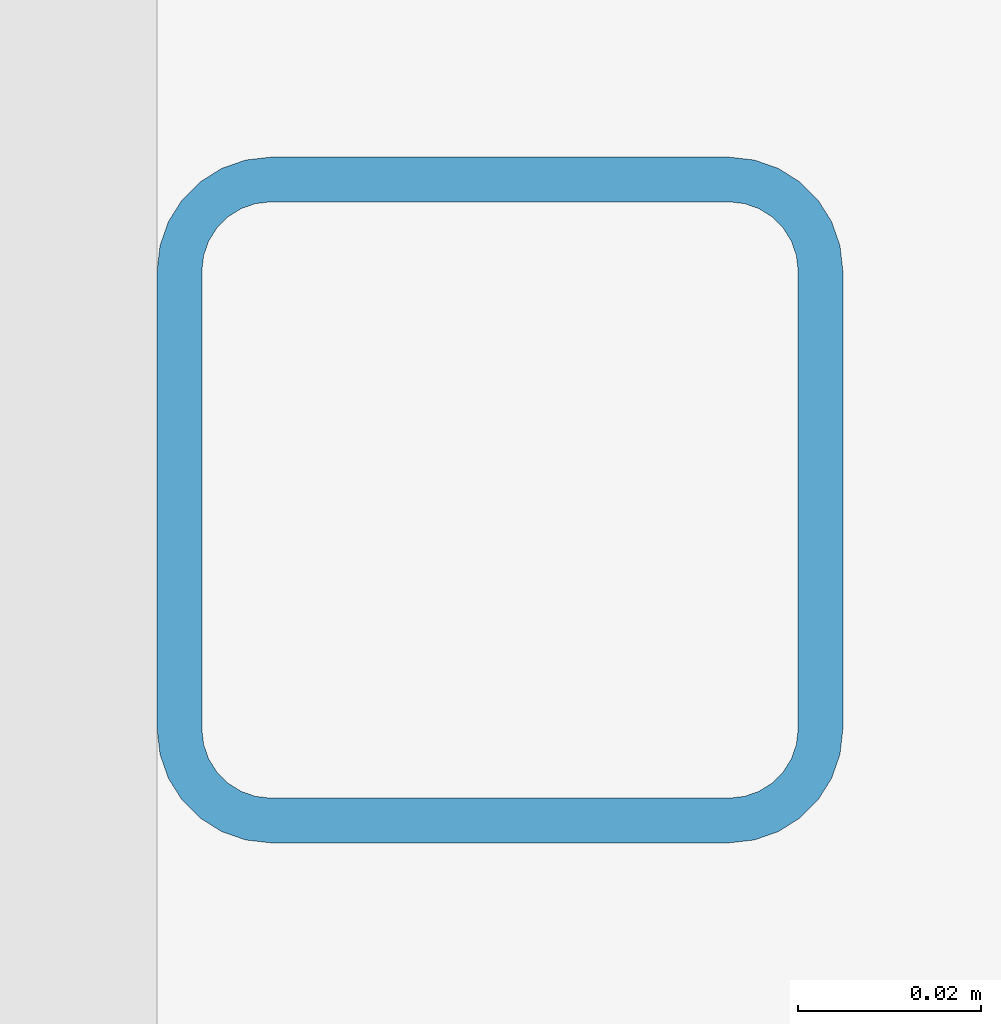
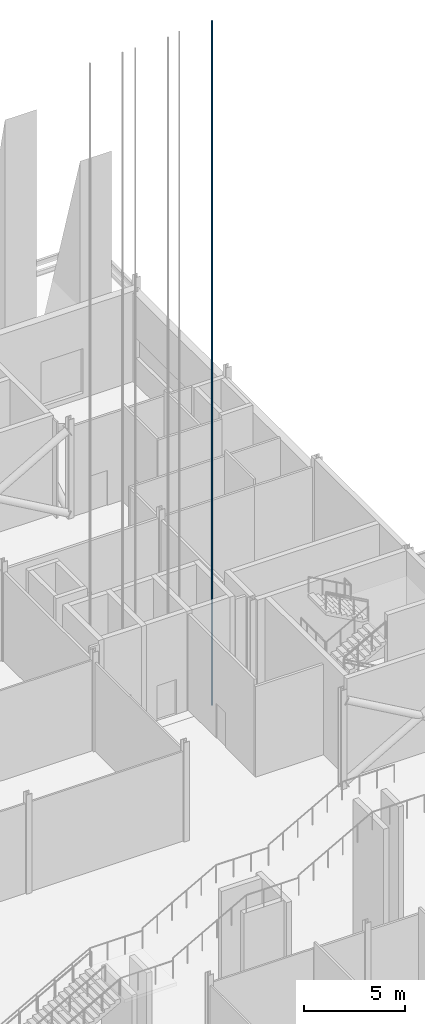
# One storey, part 67 of 139: 1 member.
"""IFC4 building model written with IfcOpenShell, lengths in metres."""

from ifc_helpers import new_model, si_unit, direction, frame, origin, origin_2d, place, context, subcontext, project, spatial, hollow_rectangle, extrude, material, material_profile, profile_set, type_object, element, save


model = new_model("IFC4")

# Units and contexts
model_context = context("Model", 3, precision=1e-05, world=origin(), true_north=direction((0.0, 1.0)))
body_context = subcontext(model_context, "Body", "Model", "MODEL_VIEW")
ifc_project = project(units=[si_unit("LENGTHUNIT", "METRE"), si_unit("AREAUNIT", "SQUARE_METRE"), si_unit("VOLUMEUNIT", "CUBIC_METRE"), si_unit("PLANEANGLEUNIT", "RADIAN"), si_unit("MASSUNIT", "GRAM", prefix="KILO")], contexts=[model_context])

# Site, building, storey
site_placement = place(None, origin())
site = spatial("IfcSite", under=ifc_project, at=site_placement, CompositionType="ELEMENT")
building_placement = place(site_placement, origin())
building = spatial("IfcBuilding", under=site, at=building_placement, Name="Shorebreak Coast Museum", CompositionType="ELEMENT")
storey_placement = place(building_placement, origin())
storey = spatial("IfcBuildingStorey", under=building, at=storey_placement, Name="L00", CompositionType="ELEMENT", Elevation=0.0)

# Member
ifc_material = material(Name="Steel Grade C450L0", Category="steel")
ifc_material_profile = material_profile(ifc_material, hollow_rectangle(XDim=0.074951171875, YDim=0.074951171875, WallThickness=0.0048828125, InnerFilletRadius=0.007568359375, OuterFilletRadius=0.012451171875, at=origin_2d()), Name="75x75x5.0 SHS")
ifc_profile_set = profile_set([ifc_material_profile], Name="Steel Grade C450L0")
member_type = type_object("IfcMemberType", Name="Lift guide rail 75x75x5.0 SHS", PredefinedType="POST", material=ifc_profile_set)
member_placement = place(storey_placement, frame((107.03759765625, 92.25, -1.5), z_axis=(0.0, 0.0, 1.0), x_axis=(1.0, 0.0, 0.0)))
element("IfcMember", 1, at=member_placement, inside=storey, type_object=member_type, Name="Firefighting Lift FL2 guide rail", PredefinedType="POST", context=body_context, shape_type="SweptSolid", body=[
    extrude(hollow_rectangle(XDim=0.074951171875, YDim=0.074951171875, WallThickness=0.0048828125, InnerFilletRadius=0.007568359375, OuterFilletRadius=0.012451171875, at=origin_2d()), origin(), (0.0, 0.0, 1.0), 41.39990234375),
])

save(model, "model.ifc")
